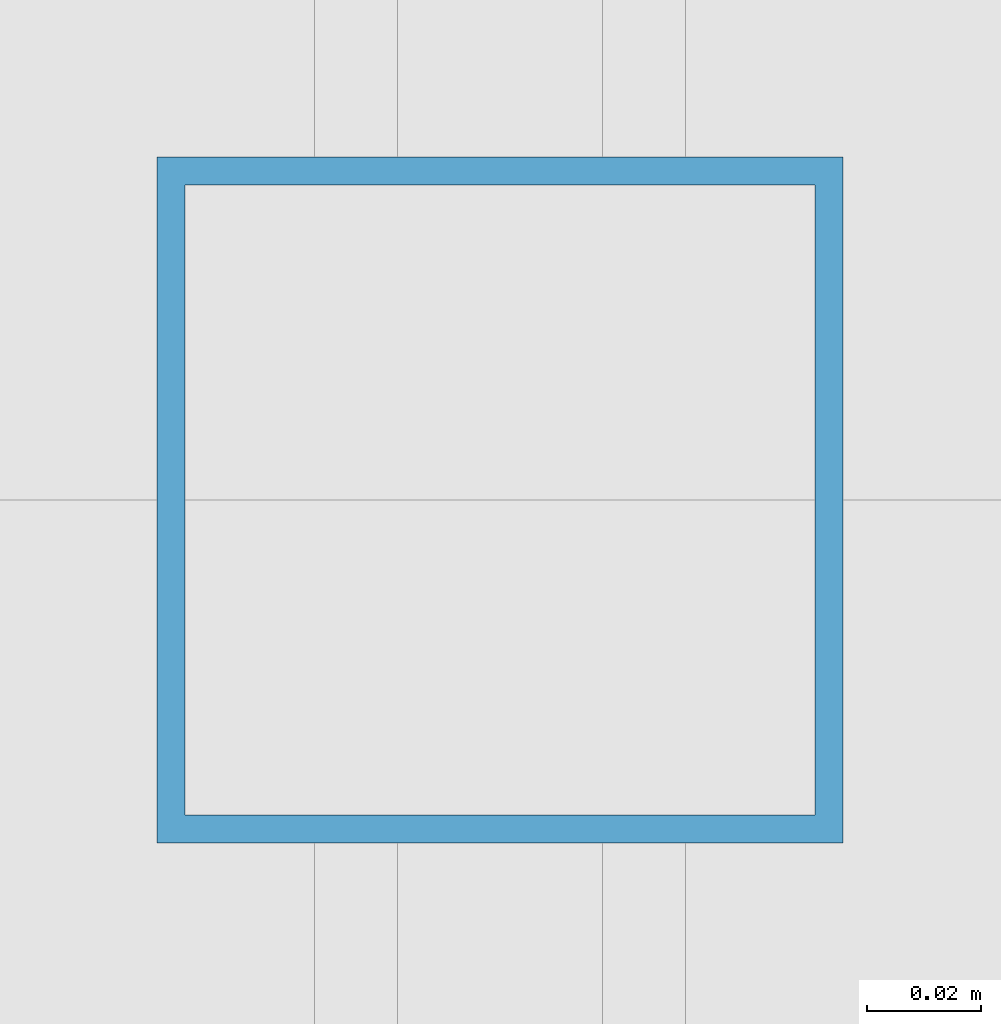
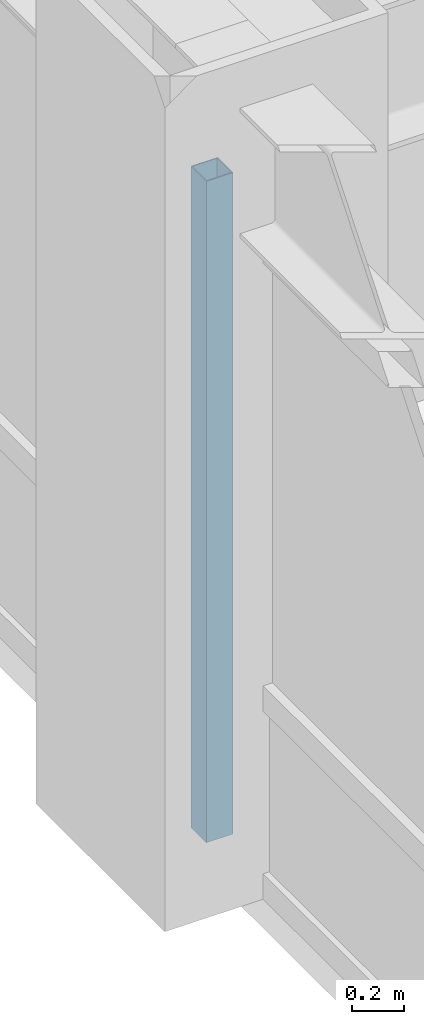
# One storey, part 6 of 25: 1 member, 1 element without a shape of its own.
"""IFC4 building model written with IfcOpenShell, lengths in metres."""

from ifc_helpers import new_model, si_unit, direction, frame, origin, origin_2d, place, context, subcontext, project, spatial, hollow_rectangle, extrude, source, transform, mapped, material, material_profile, profile_set, type_object, element, aggregate, save


model = new_model("IFC4")

# Units and contexts
model_context = context("Model", 3, precision=1e-05, world=origin(), true_north=direction((0.0, 1.0)))
body_context = subcontext(model_context, "Body", "Model", "MODEL_VIEW")
ifc_project = project(units=[si_unit("LENGTHUNIT", "METRE"), si_unit("AREAUNIT", "SQUARE_METRE"), si_unit("VOLUMEUNIT", "CUBIC_METRE"), si_unit("PLANEANGLEUNIT", "RADIAN"), si_unit("MASSUNIT", "GRAM", prefix="KILO")], contexts=[model_context])

# Site, building, storey
site_placement = place(None, origin())
site = spatial("IfcSite", under=ifc_project, at=site_placement, CompositionType="ELEMENT")
building_placement = place(site_placement, origin())
building = spatial("IfcBuilding", under=site, at=building_placement, Name="Khorayat Bourse Tower", CompositionType="ELEMENT")
storey_placement = place(building_placement, frame((0.0, 0.0, 247.10009765625)))
storey = spatial("IfcBuildingStorey", under=building, at=storey_placement, Name="L58", CompositionType="ELEMENT", Elevation=247.10009765625)

# Curtain wall, member
ifc_material = material(Name="Aluminium EN AW-6063 T6", Category="aluminium")
curtain_wall_type = type_object("IfcCurtainWallType", Name="CW-SYS-03", PredefinedType="NOTDEFINED", material=ifc_material)
curtain_wall_placement = place(storey_placement, origin())
curtain_wall = element("IfcCurtainWall", 1, at=curtain_wall_placement, inside=storey, type_object=curtain_wall_type, Name="L58 Curtain Wall CW-L58-W1", PredefinedType="NOTDEFINED")
ifc_material_profile = material_profile(ifc_material, hollow_rectangle(XDim=0.1201171875, YDim=0.1201171875, WallThickness=0.0048828125, at=origin_2d()), Name="ALU 120x120x5")
ifc_profile_set = profile_set([ifc_material_profile], Name="Aluminium EN AW-6063 T6")
member_type = type_object("IfcMemberType", Name="CWM-VERT-120", PredefinedType="MULLION", material=ifc_profile_set)
shared_shape = source(origin(), body_context, "Body", "SweptSolid", [
    extrude(hollow_rectangle(XDim=0.1201171875, YDim=0.1201171875, WallThickness=0.0048828125, at=origin_2d()), origin(), (0.0, 0.0, 1.0), 3.1298828125),
])
member_placement = place(storey_placement, frame((-30.0, 0.0, 0.0), z_axis=(0.0, 0.0, 1.0), x_axis=(-1.0, 0.0, 0.0)))
member = element("IfcMember", 2, at=member_placement, type_object=member_type, Name="CW-L58-W1 Vertical Mullion 2", PredefinedType="MULLION", context=body_context, shape_type="MappedRepresentation", body=[
    mapped(shared_shape, transform((0.0, 0.0, 0.0), scale=1.0)),
])
aggregate(curtain_wall, [member])

save(model, "model.ifc")
